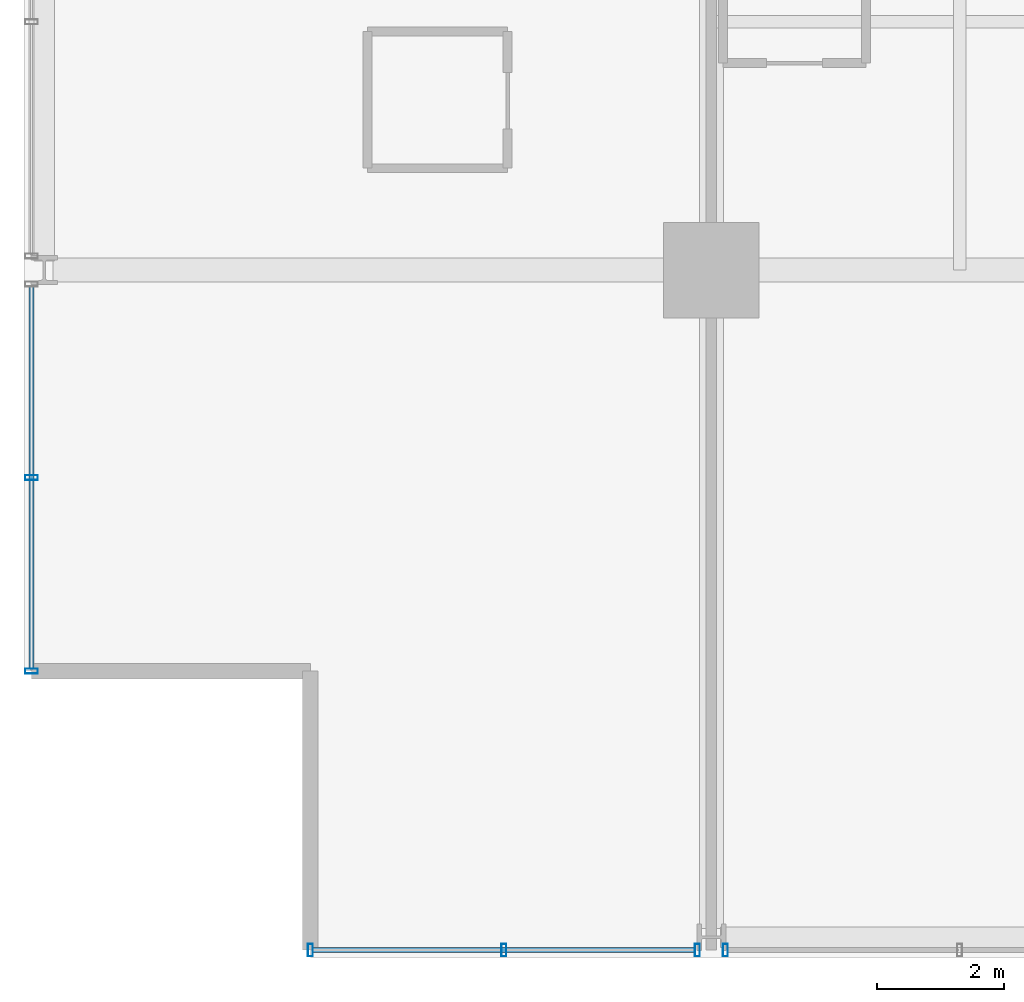
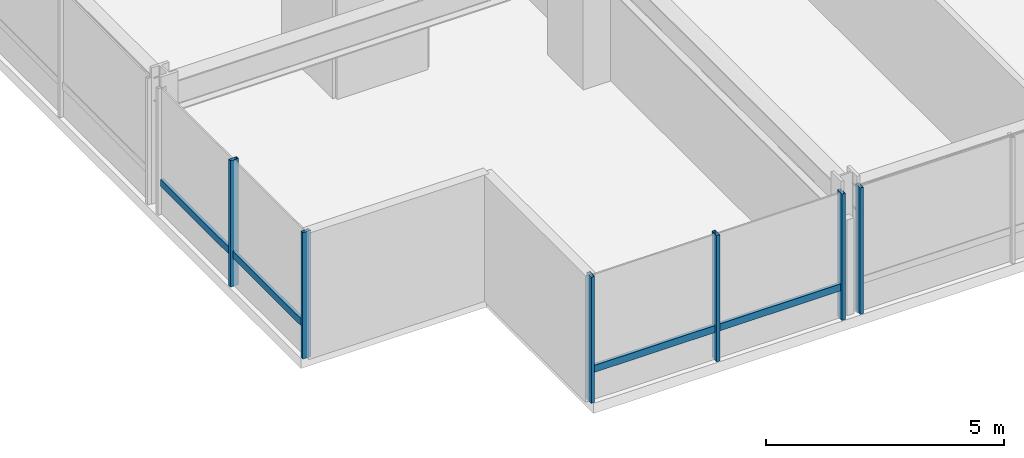
# One storey, part 2 of 35: 8 members, 3 elements without a shape of their own.
"""IFC4 building model written with IfcOpenShell, lengths in metres."""

from ifc_helpers import new_model, si_unit, direction, frame, origin, origin_2d, place, context, subcontext, project, spatial, hollow_rectangle, extrude, material, layer, layer_set, material_profile, profile_set, type_object, element, aggregate, save


model = new_model("IFC4")

# Units and contexts
model_context = context("Model", 3, precision=1e-05, world=origin(), true_north=direction((0.0, 1.0)))
body_context = subcontext(model_context, "Body", "Model", "MODEL_VIEW")
ifc_project = project(units=[si_unit("LENGTHUNIT", "METRE"), si_unit("AREAUNIT", "SQUARE_METRE"), si_unit("VOLUMEUNIT", "CUBIC_METRE"), si_unit("PLANEANGLEUNIT", "RADIAN"), si_unit("MASSUNIT", "GRAM", prefix="KILO")], contexts=[model_context])

# Site, building, storey
site_placement = place(None, origin())
site = spatial("IfcSite", under=ifc_project, at=site_placement, CompositionType="ELEMENT")
building_placement = place(site_placement, origin())
building = spatial("IfcBuilding", under=site, at=building_placement, Name="Drelvath Grand Hotel", CompositionType="ELEMENT")
storey_placement = place(building_placement, frame((0.0, 0.0, 98.800048828125)))
storey = spatial("IfcBuildingStorey", under=building, at=storey_placement, Name="L24", CompositionType="ELEMENT", Elevation=98.800048828125)

# Curtain wall, member
ifc_material = material(Name="Champagne Bronze Anodised Aluminium Frame", Category="aluminium")
ifc_layer = layer(ifc_material, 0.199951171875)
ifc_layer_set = layer_set([ifc_layer], Name="Champagne Bronze Anodised Aluminium Frame")
curtain_wall_type = type_object("IfcCurtainWallType", Name="Stick Curtain Wall CW-03 Champagne Bronze Mid-Rise", PredefinedType="NOTDEFINED", material=ifc_layer_set)
curtain_wall_1_placement = place(storey_placement, origin())
curtain_wall_1 = element("IfcCurtainWall", 1, at=curtain_wall_1_placement, inside=storey, type_object=curtain_wall_type, Name="L24 CW-03 Curtain Wall CW03-L24-WS1", PredefinedType="NOTDEFINED")
ifc_material_profile_1 = material_profile(ifc_material, hollow_rectangle(XDim=0.074951171875, YDim=0.179931640625, WallThickness=0.0048828125, at=origin_2d()), Name="HSS180X75X5")
ifc_profile_set_1 = profile_set([ifc_material_profile_1], Name="Champagne Bronze Anodised Aluminium Frame")
member_type_1 = type_object("IfcMemberType", Name="Curtain Wall Horizontal Transom CW-03 HSS180X75X5", PredefinedType="USERDEFINED", material=ifc_profile_set_1)
member_1_placement = place(storey_placement, frame((-26.8798828125, 4.5400390625, 0.81005859375), z_axis=(0.0, 1.0, 0.0), x_axis=(-1.0, 0.0, 0.0)))
member_1 = element("IfcMember", 2, at=member_1_placement, type_object=member_type_1, Name="CW03-L24-WS1 Sill Transom", ObjectType="TRANSOM", PredefinedType="USERDEFINED", context=body_context, shape_type="SweptSolid", body=[
    extrude(hollow_rectangle(XDim=0.074951171875, YDim=0.179931640625, WallThickness=0.0048828125, at=origin_2d()), origin(), (0.0, 0.0, 1.0), 6.000244140625),
])

curtain_wall_2_placement = place(storey_placement, origin())
curtain_wall_2 = element("IfcCurtainWall", 3, at=curtain_wall_2_placement, inside=storey, type_object=curtain_wall_type, Name="L24 CW-03 Curtain Wall CW03-L24-SW1", PredefinedType="NOTDEFINED")
member_2_placement = place(storey_placement, frame((-16.459716796875, 0.1201171875, 0.81005859375), z_axis=(-1.0, 0.0, 0.0), x_axis=(0.0, -1.0, 0.0)))
member_2 = element("IfcMember", 4, at=member_2_placement, type_object=member_type_1, Name="CW03-L24-SW1 Sill Transom", ObjectType="TRANSOM", PredefinedType="USERDEFINED", context=body_context, shape_type="SweptSolid", body=[
    extrude(hollow_rectangle(XDim=0.074951171875, YDim=0.179931640625, WallThickness=0.0048828125, at=origin_2d()), origin(), (0.0, 0.0, 1.0), 6.000244140625),
])

# Member
ifc_material_profile_2 = material_profile(ifc_material, hollow_rectangle(XDim=0.080078125, YDim=0.199951171875, WallThickness=0.0048828125, at=origin_2d()), Name="HSS200X80X5")
ifc_profile_set_2 = profile_set([ifc_material_profile_2], Name="Champagne Bronze Anodised Aluminium Frame")
member_type_2 = type_object("IfcMemberType", Name="Curtain Wall Vertical Mullion CW-03 HSS200X80X5", PredefinedType="MULLION", material=ifc_profile_set_2)
member_3_placement = place(storey_placement, frame((-26.8798828125, 4.5, 0.0), z_axis=(0.0, 0.0, 1.0), x_axis=(0.0, 1.0, 0.0)))
member_3 = element("IfcMember", 5, at=member_3_placement, type_object=member_type_2, Name="CW03-L24-WS1 Mullion 1", PredefinedType="MULLION", context=body_context, shape_type="SweptSolid", body=[
    extrude(hollow_rectangle(XDim=0.080078125, YDim=0.199951171875, WallThickness=0.0048828125, at=origin_2d()), origin(), (0.0, 0.0, 1.0), 3.239990234375),
])

member_4_placement = place(storey_placement, frame((-26.8798828125, 7.540283203125, 0.0), z_axis=(0.0, 0.0, 1.0), x_axis=(0.0, 1.0, 0.0)))
member_4 = element("IfcMember", 6, at=member_4_placement, type_object=member_type_2, Name="CW03-L24-WS1 Mullion 2", PredefinedType="MULLION", context=body_context, shape_type="SweptSolid", body=[
    extrude(hollow_rectangle(XDim=0.080078125, YDim=0.199951171875, WallThickness=0.0048828125, at=origin_2d()), origin(), (0.0, 0.0, 1.0), 3.239990234375),
])

aggregate(curtain_wall_1, [member_3, member_4, member_1])

member_5_placement = place(storey_placement, frame((-16.419677734375, 0.1201171875, 0.0), z_axis=(0.0, 0.0, 1.0), x_axis=(1.0, 0.0, 0.0)))
member_5 = element("IfcMember", 7, at=member_5_placement, type_object=member_type_2, Name="CW03-L24-SW1 Mullion 1", PredefinedType="MULLION", context=body_context, shape_type="SweptSolid", body=[
    extrude(hollow_rectangle(XDim=0.080078125, YDim=0.199951171875, WallThickness=0.0048828125, at=origin_2d()), origin(), (0.0, 0.0, 1.0), 3.239990234375),
])

member_6_placement = place(storey_placement, frame((-19.459716796875, 0.1201171875, 0.0), z_axis=(0.0, 0.0, 1.0), x_axis=(1.0, 0.0, 0.0)))
member_6 = element("IfcMember", 8, at=member_6_placement, type_object=member_type_2, Name="CW03-L24-SW1 Mullion 2", PredefinedType="MULLION", context=body_context, shape_type="SweptSolid", body=[
    extrude(hollow_rectangle(XDim=0.080078125, YDim=0.199951171875, WallThickness=0.0048828125, at=origin_2d()), origin(), (0.0, 0.0, 1.0), 3.239990234375),
])

member_7_placement = place(storey_placement, frame((-22.5, 0.1201171875, 0.0), z_axis=(0.0, 0.0, 1.0), x_axis=(1.0, 0.0, 0.0)))
member_7 = element("IfcMember", 9, at=member_7_placement, type_object=member_type_2, Name="CW03-L24-SW1 Mullion 3", PredefinedType="MULLION", context=body_context, shape_type="SweptSolid", body=[
    extrude(hollow_rectangle(XDim=0.080078125, YDim=0.199951171875, WallThickness=0.0048828125, at=origin_2d()), origin(), (0.0, 0.0, 1.0), 3.239990234375),
])

aggregate(curtain_wall_2, [member_5, member_6, member_7, member_2])

# Curtain wall, member
curtain_wall_3_placement = place(storey_placement, origin())
curtain_wall_3 = element("IfcCurtainWall", 10, at=curtain_wall_3_placement, inside=storey, type_object=curtain_wall_type, Name="L24 CW-03 Curtain Wall CW03-L24-SW2", PredefinedType="NOTDEFINED")
member_8_placement = place(storey_placement, frame((-15.98046875, 0.1201171875, 0.0), z_axis=(0.0, 0.0, 1.0), x_axis=(1.0, 0.0, 0.0)))
member_8 = element("IfcMember", 11, at=member_8_placement, type_object=member_type_2, Name="CW03-L24-SW2 Mullion 3", PredefinedType="MULLION", context=body_context, shape_type="SweptSolid", body=[
    extrude(hollow_rectangle(XDim=0.080078125, YDim=0.199951171875, WallThickness=0.0048828125, at=origin_2d()), origin(), (0.0, 0.0, 1.0), 3.239990234375),
])
aggregate(curtain_wall_3, [member_8])

save(model, "model.ifc")
